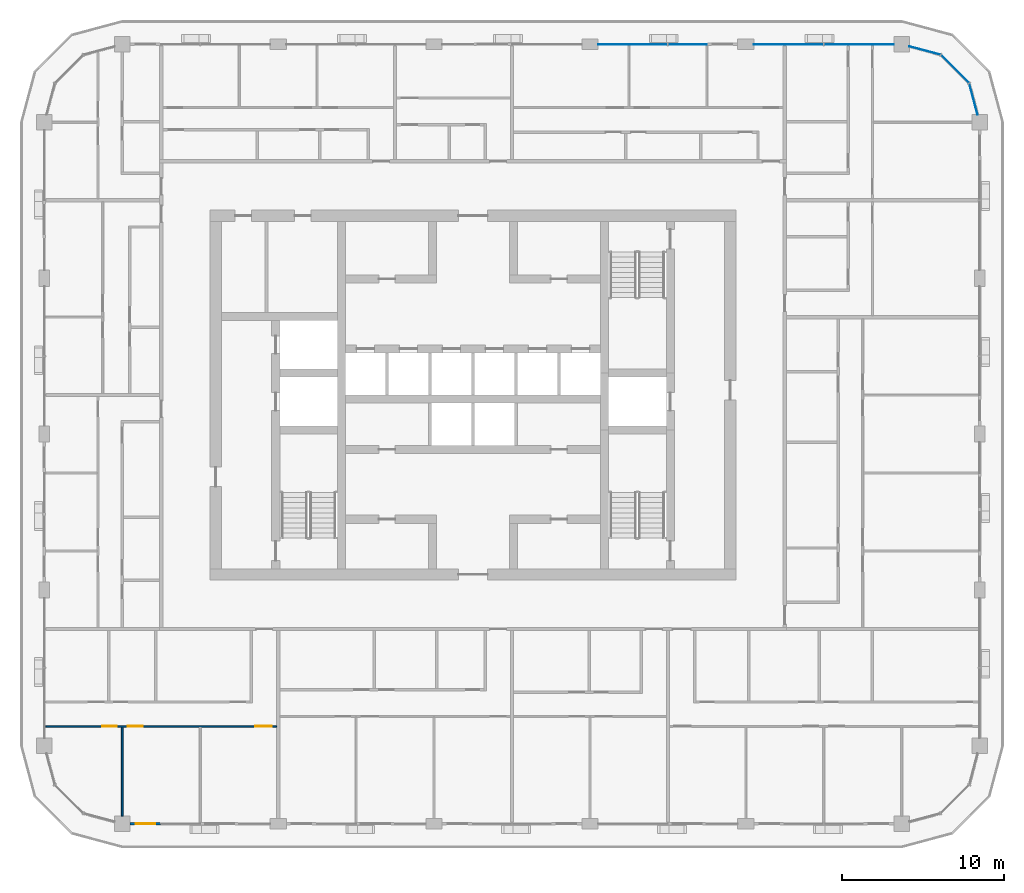
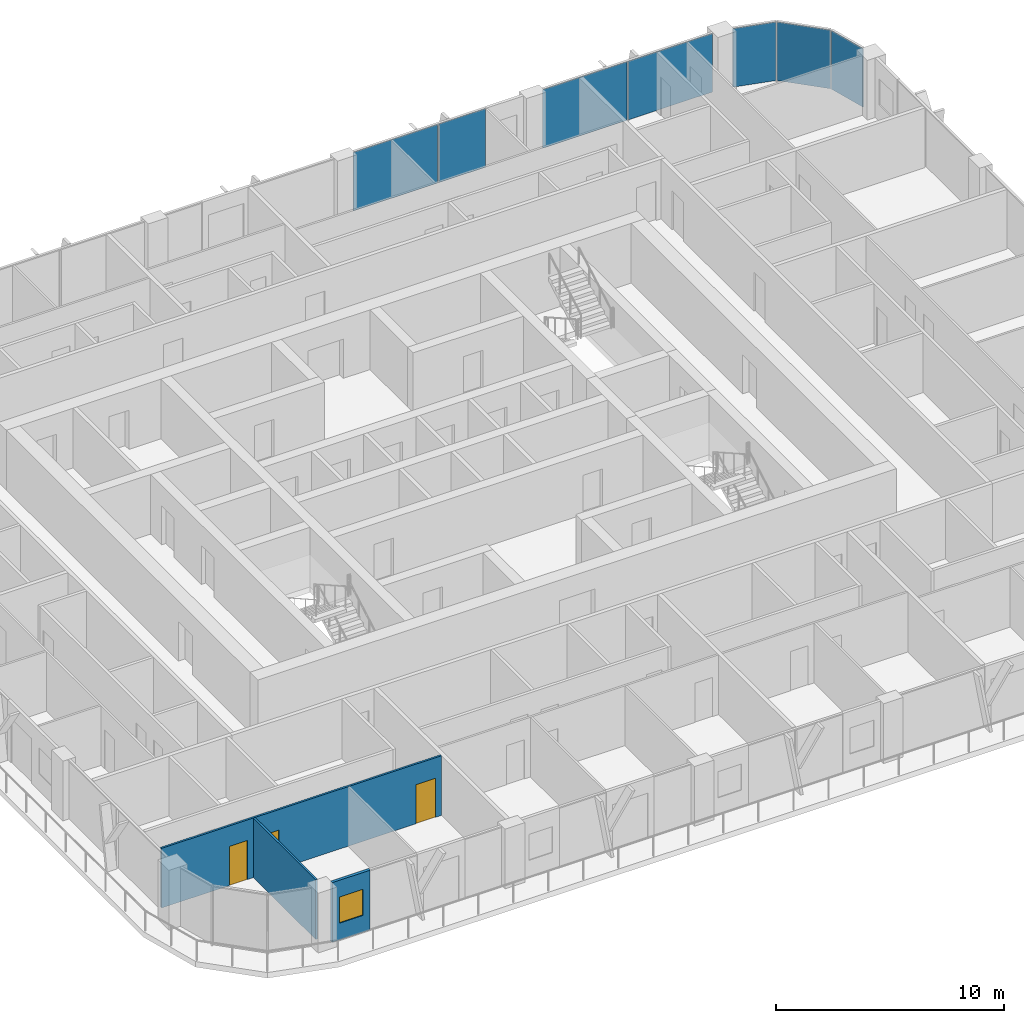
# One storey, part 8 of 21: 7 plates, 3 doors, 3 walls, 1 window, 4 openings, 3 elements without a shape of their own.
"""IFC4 building model written with IfcOpenShell, lengths in metres."""

import ifcopenshell
import ifcopenshell.guid

model = None  # the IFC model being written
_history = None  # IfcOwnerHistory: only IFC2X3 demands one
_inside = {}  # id of a spatial element -> (the spatial element, [elements in it])
_under = {}  # id of a project, library or spatial element -> (it, [spatial elements below it])
_declared = {}  # id of a project -> (the project, [libraries it declares])
_typed = {}  # id of a type object -> (the type object, [elements of that type])
_made_of = {}  # id of a material, layer set ... -> (it, [elements and type objects made of it])


def new_model(schema):
    """Start an empty IFC model of exactly this schema.

    Asked for "IFC4X3", IfcOpenShell would pick the latest addendum, in which some entities
    have other attributes; the version numbers below select the first issue.
    IFC2X3 requires an IfcOwnerHistory on every rooted entity: one is made here for all.
    """
    global model, _history
    if schema == "IFC4X3":
        model = ifcopenshell.file(schema_version=(4, 3, 0, 0))
    else:
        model = ifcopenshell.file(schema=schema)
    _inside.clear()
    _under.clear()
    _declared.clear()
    _typed.clear()
    _made_of.clear()
    _history = None
    if model.schema == "IFC2X3":
        org = make("IfcOrganization", Name="unknown")
        user = make(
            "IfcPersonAndOrganization",
            ThePerson=make("IfcPerson", FamilyName="unknown"),
            TheOrganization=org,
        )
        app = make(
            "IfcApplication",
            ApplicationDeveloper=org,
            Version="unknown",
            ApplicationFullName="unknown",
            ApplicationIdentifier="unknown",
        )
        _history = make(
            "IfcOwnerHistory",
            OwningUser=user,
            OwningApplication=app,
            ChangeAction="ADDED",
            CreationDate=0,
        )
    return model


def make(cls, **values):
    """One entity of the class cls with the attributes given. An attribute that is None is left unset."""
    return model.create_entity(
        cls, **{name: value for name, value in values.items() if value is not None}
    )


def rooted(cls, **values):
    """An entity with a GlobalId (a new one), such as an element, a storey or a relation."""
    return make(cls, GlobalId=ifcopenshell.guid.new(), OwnerHistory=_history, **values)


def si_unit(unit_type, name, prefix=None):
    """IfcSIUnit, for example si_unit("LENGTHUNIT", "METRE", prefix="MILLI")."""
    return make("IfcSIUnit", UnitType=unit_type, Prefix=prefix, Name=name)


def assignment(units):
    """IfcUnitAssignment: the units of a project."""
    return None if units is None else make("IfcUnitAssignment", Units=units)


def point(xyz):
    """IfcCartesianPoint."""
    return None if xyz is None else make("IfcCartesianPoint", Coordinates=xyz)


def direction(xyz):
    """IfcDirection."""
    return None if xyz is None else make("IfcDirection", DirectionRatios=xyz)


def frame(location, z_axis=None, x_axis=None):
    """IfcAxis2Placement3D, a coordinate frame: its origin and axes. An axis left out is left unset."""
    return make(
        "IfcAxis2Placement3D",
        Location=point(location),
        Axis=direction(z_axis),
        RefDirection=direction(x_axis),
    )


def frame_2d(location, x_axis=None):
    """IfcAxis2Placement2D, a coordinate frame in the plane: its origin and x axis."""
    return make(
        "IfcAxis2Placement2D", Location=point(location), RefDirection=direction(x_axis)
    )


def origin():
    """The frame at (0, 0, 0) with its axes left unset."""
    return frame((0.0, 0.0, 0.0))


def origin_2d():
    """The frame at (0, 0) in the plane with its x axis left unset."""
    return frame_2d((0.0, 0.0))


def place(relative_to, where):
    """IfcLocalPlacement: puts the frame where relative to a parent placement (None: the world)."""
    return make(
        "IfcLocalPlacement", PlacementRelTo=relative_to, RelativePlacement=where
    )


def context(
    kind, dimensions, precision=None, world=None, true_north=None, identifier=None
):
    """IfcGeometricRepresentationContext, for example the 3D "Model" context."""
    return make(
        "IfcGeometricRepresentationContext",
        ContextIdentifier=identifier,
        ContextType=kind,
        CoordinateSpaceDimension=dimensions,
        Precision=precision,
        WorldCoordinateSystem=world,
        TrueNorth=true_north,
    )


def subcontext(parent, identifier, kind, view, scale=None):
    """IfcGeometricRepresentationSubContext, for example "Body" below "Model"."""
    return make(
        "IfcGeometricRepresentationSubContext",
        ContextIdentifier=identifier,
        ContextType=kind,
        ParentContext=parent,
        TargetScale=scale,
        TargetView=view,
    )


def project(units=None, contexts=None):
    """IfcProject with its units and contexts."""
    return rooted(
        "IfcProject",
        Name="project",
        RepresentationContexts=contexts,
        UnitsInContext=assignment(units),
    )


def spatial(cls, under=None, at=None, **own):
    """A site, building, storey or space (cls), placed at a placement, below another one or the project."""
    s = rooted(cls, ObjectPlacement=at, **own)
    if under is not None:
        _under.setdefault(under.id(), (under, []))[1].append(s)
    return s


def profile(cls, at=None, kind="AREA", **sizes):
    """A parametric profile (cls). Its sizes go by their IFC names, for example OverallWidth=200.0."""
    return make(cls, ProfileType=kind, Position=at, **sizes)


def rectangle(**sizes):
    """IfcRectangleProfileDef."""
    return profile("IfcRectangleProfileDef", **sizes)


def extrude(swept, where, along, depth):
    """IfcExtrudedAreaSolid: the profile swept, set in the frame where, extruded along a direction by depth."""
    return make(
        "IfcExtrudedAreaSolid",
        SweptArea=swept,
        Position=where,
        ExtrudedDirection=direction(along),
        Depth=depth,
    )


def shape(context_of_items, identifier, shape_type, items):
    """IfcShapeRepresentation: the items that make up one representation, for example the "Body"."""
    return make(
        "IfcShapeRepresentation",
        ContextOfItems=context_of_items,
        RepresentationIdentifier=identifier,
        RepresentationType=shape_type,
        Items=items,
    )


def material(Name=None, Category=None):
    """IfcMaterial."""
    return make("IfcMaterial", Name=Name, Category=Category)


def layer(
    of_material, thickness, ventilated=None, Name=None, Category=None, Priority=None
):
    """IfcMaterialLayer: one layer of a wall or slab, of a material (None: an air gap)."""
    return make(
        "IfcMaterialLayer",
        Material=of_material,
        LayerThickness=thickness,
        IsVentilated=ventilated,
        Name=Name,
        Category=Category,
        Priority=Priority,
    )


def layer_set(layers, Name=None):
    """IfcMaterialLayerSet."""
    return make("IfcMaterialLayerSet", MaterialLayers=layers, LayerSetName=Name)


def made_of(thing, what):
    """Note that an element or type object is made of a material, layer set ...; save() writes the relation."""
    if what is not None:
        _made_of.setdefault(what.id(), (what, []))[1].append(thing)
    return thing


def type_object(cls, material=None, **own):
    """A type object (cls), such as IfcWallType, which elements share."""
    return made_of(rooted(cls, **own), material)


def element(
    cls,
    number,
    at=None,
    inside=None,
    cuts=None,
    type_object=None,
    material=None,
    context=None,
    identifier="Body",
    shape_type=None,
    held_by="IfcProductDefinitionShape",
    body=None,
    shapes=None,
    **own,
):
    """One element of the class cls, such as IfcWall. Its Tag is "e" and its number.

    at: its placement. inside: the storey or other place that contains it. cuts: it is an
    opening in that element (IfcRelVoidsElement). A single representation is given by context,
    identifier, shape_type and body (its items); several are given by shapes. held_by: the class
    of the entity that holds the representations. save() writes the other relations.
    """
    e = rooted(cls, Tag="e%d" % number, ObjectPlacement=at, **own)
    if body is not None:
        shapes = [shape(context, identifier, shape_type, body)]
    if shapes is not None:
        e.Representation = make(held_by, Representations=shapes)
    if inside is not None:
        _inside.setdefault(inside.id(), (inside, []))[1].append(e)
    if cuts is not None:
        rooted(
            "IfcRelVoidsElement", RelatingBuildingElement=cuts, RelatedOpeningElement=e
        )
    if type_object is not None:
        _typed.setdefault(type_object.id(), (type_object, []))[1].append(e)
    return made_of(e, material)


def fill(opening, filler):
    """IfcRelFillsElement: the door or window that sits in an opening."""
    return rooted(
        "IfcRelFillsElement",
        RelatingOpeningElement=opening,
        RelatedBuildingElement=filler,
    )


def aggregate(whole, parts):
    """IfcRelAggregates: a whole, such as a stair, and the parts it consists of."""
    return rooted("IfcRelAggregates", RelatingObject=whole, RelatedObjects=parts)


def save(model, path):
    """Write the relations noted so far, then the file.

    IfcRelAggregates (storeys below a building ...), IfcRelContainedInSpatialStructure (elements
    in a storey), IfcRelDefinesByType, IfcRelAssociatesMaterial and IfcRelDeclares: one each for
    every whole, place, type object, material and project.
    """
    for whole, parts in _under.values():
        aggregate(whole, parts)
    for where, things in _inside.values():
        rooted(
            "IfcRelContainedInSpatialStructure",
            RelatedElements=things,
            RelatingStructure=where,
        )
    for kind, things in _typed.values():
        rooted("IfcRelDefinesByType", RelatedObjects=things, RelatingType=kind)
    for what, things in _made_of.values():
        rooted("IfcRelAssociatesMaterial", RelatedObjects=things, RelatingMaterial=what)
    for by, libraries in _declared.values():
        rooted("IfcRelDeclares", RelatingContext=by, RelatedDefinitions=libraries)
    model.write(path)


model = new_model("IFC4")

# Units and contexts
model_context = context("Model", 3, precision=1e-05, world=origin(), true_north=direction((0.0, 1.0)))
body_context = subcontext(model_context, "Body", "Model", "MODEL_VIEW")
ifc_project = project(units=[si_unit("LENGTHUNIT", "METRE"), si_unit("AREAUNIT", "SQUARE_METRE"), si_unit("VOLUMEUNIT", "CUBIC_METRE"), si_unit("PLANEANGLEUNIT", "RADIAN"), si_unit("MASSUNIT", "GRAM", prefix="KILO")], contexts=[model_context])

# Site, building, storey
site_placement = place(None, origin())
site = spatial("IfcSite", under=ifc_project, at=site_placement, CompositionType="ELEMENT")
building_placement = place(site_placement, origin())
building = spatial("IfcBuilding", under=site, at=building_placement, Name="Madar Terraces", CompositionType="ELEMENT")
storey_placement = place(building_placement, frame((0.0, 0.0, 185.89990234375)))
storey = spatial("IfcBuildingStorey", under=building, at=storey_placement, Name="L48", CompositionType="ELEMENT", Elevation=185.89990234375)

# Curtain wall, plates
ifc_material_1 = material(Name="Glass, ceramic frit dark grey, with black aluminium frame", Category="aluminium")
ifc_layer_1 = layer(ifc_material_1, 0.199951171875)
ifc_layer_set_1 = layer_set([ifc_layer_1], Name="Facade curtain wall, fritted glass")
curtain_wall_type = type_object("IfcCurtainWallType", Name="Facade curtain wall, fritted glass", PredefinedType="NOTDEFINED", material=ifc_layer_set_1)
curtain_wall_1_placement = place(storey_placement, origin())
curtain_wall_1 = element("IfcCurtainWall", 1, at=curtain_wall_1_placement, inside=storey, type_object=curtain_wall_type, Name="Outer skin curtain wall north bay 1", PredefinedType="NOTDEFINED")
ifc_material_2 = material(Name="Glass, ceramic frit dark grey", Category="glass")
ifc_layer_2 = layer(ifc_material_2, 0.028076171875)
ifc_layer_set_2 = layer_set([ifc_layer_2], Name="Facade glass panel 28")
plate_type = type_object("IfcPlateType", Name="Facade glass panel 28", PredefinedType="CURTAIN_PANEL", material=ifc_layer_set_2)
plate_1_placement = place(storey_placement, frame((54.9775390625, 48.0, 0.0), z_axis=(0.0, 0.0, 1.0), x_axis=(-1.0, 0.0, 0.0)))
plate_1 = element("IfcPlate", 2, at=plate_1_placement, type_object=plate_type, Name="Panel 1", PredefinedType="CURTAIN_PANEL", context=body_context, shape_type="SweptSolid", body=[
    extrude(rectangle(XDim=4.294921875, YDim=0.028076171875, at=origin_2d()), origin(), (0.0, 0.0, 1.0), 3.139892578125),
])
plate_2_placement = place(storey_placement, frame((50.635009765625, 48.0, 0.0), z_axis=(0.0, 0.0, 1.0), x_axis=(-1.0, 0.0, 0.0)))
plate_2 = element("IfcPlate", 3, at=plate_2_placement, type_object=plate_type, Name="Panel 2", PredefinedType="CURTAIN_PANEL", context=body_context, shape_type="SweptSolid", body=[
    extrude(rectangle(XDim=4.27001953125, YDim=0.028076171875, at=origin_2d()), origin(), (0.0, 0.0, 1.0), 3.139892578125),
])
aggregate(curtain_wall_1, [plate_1, plate_2])

curtain_wall_2_placement = place(storey_placement, origin())
curtain_wall_2 = element("IfcCurtainWall", 4, at=curtain_wall_2_placement, inside=storey, type_object=curtain_wall_type, Name="Outer skin curtain wall north bay 2", PredefinedType="NOTDEFINED")
plate_3_placement = place(storey_placement, frame((44.4150390625, 48.0, 0.0), z_axis=(0.0, 0.0, 1.0), x_axis=(-1.0, 0.0, 0.0)))
plate_3 = element("IfcPlate", 5, at=plate_3_placement, type_object=plate_type, Name="Panel 1", PredefinedType="CURTAIN_PANEL", context=body_context, shape_type="SweptSolid", body=[
    extrude(rectangle(XDim=2.3701171875, YDim=0.028076171875, at=origin_2d()), origin(), (0.0, 0.0, 1.0), 3.139892578125),
])
plate_4_placement = place(storey_placement, frame((41.034912109375, 48.0, 0.0), z_axis=(0.0, 0.0, 1.0), x_axis=(-1.0, 0.0, 0.0)))
plate_4 = element("IfcPlate", 6, at=plate_4_placement, type_object=plate_type, Name="Panel 2", PredefinedType="CURTAIN_PANEL", context=body_context, shape_type="SweptSolid", body=[
    extrude(rectangle(XDim=4.27001953125, YDim=0.028076171875, at=origin_2d()), origin(), (0.0, 0.0, 1.0), 3.139892578125),
])
aggregate(curtain_wall_2, [plate_3, plate_4])

curtain_wall_3_placement = place(storey_placement, origin())
curtain_wall_3 = element("IfcCurtainWall", 7, at=curtain_wall_3_placement, inside=storey, type_object=curtain_wall_type, Name="Outer skin curtain wall north-east corner", PredefinedType="NOTDEFINED")
plate_5_placement = place(storey_placement, frame((62.018798828125, 44.623046875, 0.0), z_axis=(0.0, 0.0, 1.0), x_axis=(-0.258819021888, 0.965925832509, 0.0)))
plate_5 = element("IfcPlate", 8, at=plate_5_placement, type_object=plate_type, Name="Panel 1", PredefinedType="CURTAIN_PANEL", context=body_context, shape_type="SweptSolid", body=[
    extrude(rectangle(XDim=1.962890625, YDim=0.028076171875, at=origin_2d()), origin(), (0.0, 0.0, 1.0), 3.139892578125),
])
plate_6_placement = place(storey_placement, frame((60.87841796875, 46.478515625, 0.0), z_axis=(0.0, 0.0, 1.0), x_axis=(-0.707106781187, 0.707106781187, 0.0)))
plate_6 = element("IfcPlate", 9, at=plate_6_placement, type_object=plate_type, Name="Panel 2", PredefinedType="CURTAIN_PANEL", context=body_context, shape_type="SweptSolid", body=[
    extrude(rectangle(XDim=2.424560546875, YDim=0.028076171875, at=origin_2d()), origin(), (0.0, 0.0, 1.0), 3.139892578125),
])
plate_7_placement = place(storey_placement, frame((59.02294921875, 47.61865234375, 0.0), z_axis=(0.0, 0.0, 1.0), x_axis=(-0.965925832509, 0.258819021888, 0.0)))
plate_7 = element("IfcPlate", 10, at=plate_7_placement, type_object=plate_type, Name="Panel 3", PredefinedType="CURTAIN_PANEL", context=body_context, shape_type="SweptSolid", body=[
    extrude(rectangle(XDim=1.962890625, YDim=0.028076171875, at=origin_2d()), origin(), (0.0, 0.0, 1.0), 3.139892578125),
])
aggregate(curtain_wall_3, [plate_5, plate_6, plate_7])

# Wall, opening, window
ifc_material_3 = material(Name="Aluminium composite panel, black, over insulated backing", Category="aluminium")
ifc_layer_3 = layer(ifc_material_3, 0.14990234375)
ifc_layer_set_3 = layer_set([ifc_layer_3], Name="Facade bay panel 150")
wall_type_1 = type_object("IfcWallType", Name="Facade bay panel 150", PredefinedType="SOLIDWALL", material=ifc_layer_set_3)
wall_1_placement = place(storey_placement, frame((10.074951171875, 0.0, 0.0), z_axis=(0.0, 0.0, 1.0), x_axis=(1.0, 0.0, 0.0)))
wall_1 = element("IfcWall", 11, at=wall_1_placement, inside=storey, type_object=wall_type_1, Name="Facade bay panel", PredefinedType="SOLIDWALL", context=body_context, shape_type="SweptSolid", body=[
    extrude(rectangle(XDim=1.925048828125, YDim=0.14990234375, at=frame_2d((0.96240234375, 0.0))), origin(), (0.0, 0.0, 1.0), 3.2001953125),
])
opening_1_placement = place(wall_1_placement, frame((0.362548828125, 0.0, 0.89990234375)))
opening_1 = element("IfcOpeningElement", 12, at=opening_1_placement, cuts=wall_1, Name="Opening W1", PredefinedType="OPENING", context=body_context, shape_type="SweptSolid", body=[
    extrude(rectangle(XDim=1.199951171875, YDim=1.39990234375, at=frame_2d((0.60009765625, 0.699951171875))), frame((0.0, 0.0849609375, 0.0), z_axis=(0.0, -1.0, 0.0), x_axis=(1.0, 0.0, 0.0)), (0.0, 0.0, 1.0), 0.169921875),
])
ifc_material_4 = material(Name="Glass, clear, with black aluminium frame", Category="aluminium")
window_type = type_object("IfcWindowType", Name="Vent window 1200 x 1400", PartitioningType="SINGLE_PANEL", PredefinedType="WINDOW", material=ifc_material_4)
window_placement = place(opening_1_placement, origin())
window = element("IfcWindow", 13, at=window_placement, inside=storey, type_object=window_type, Name="Operable vent window", OverallHeight=1.39990234375, OverallWidth=1.199951171875, PartitioningType="SINGLE_PANEL", PredefinedType="WINDOW", context=body_context, shape_type="SweptSolid", body=[
    extrude(rectangle(XDim=1.199951171875, YDim=1.39990234375, at=frame_2d((0.60009765625, 0.699951171875))), frame((0.0, 0.030029296875, 0.0), z_axis=(0.0, -1.0, 0.0), x_axis=(1.0, 0.0, 0.0)), (0.0, 0.0, 1.0), 0.06005859375),
])
fill(opening_1, window)

# Wall
ifc_material_5 = material(Name="Gypsum board on steel studs", Category="steel")
ifc_layer_4 = layer(ifc_material_5, 0.10009765625)
ifc_layer_set_4 = layer_set([ifc_layer_4], Name="Flat partition 100")
wall_type_2 = type_object("IfcWallType", Name="Flat partition 100", PredefinedType="PARTITIONING", material=ifc_layer_set_4)
wall_2_placement = place(storey_placement, frame((9.60009765625, 5.949951171875, 0.0), z_axis=(0.0, 0.0, 1.0), x_axis=(0.0, -1.0, 0.0)))
element("IfcWall", 14, at=wall_2_placement, inside=storey, type_object=wall_type_2, Name="Flat partition 100", PredefinedType="PARTITIONING", context=body_context, shape_type="SweptSolid", body=[
    extrude(rectangle(XDim=5.474853515625, YDim=0.10009765625, at=frame_2d((2.7373046875, 0.0))), origin(), (0.0, 0.0, 1.0), 3.2001953125),
])

# Wall, openings, doors
wall_3_placement = place(storey_placement, frame((19.10009765625, 6.0, 0.0), z_axis=(0.0, 0.0, 1.0), x_axis=(-1.0, 0.0, 0.0)))
wall_3 = element("IfcWall", 15, at=wall_3_placement, inside=storey, type_object=wall_type_2, Name="Flat partition 100", PredefinedType="PARTITIONING", context=body_context, shape_type="SweptSolid", body=[
    extrude(rectangle(XDim=14.2001953125, YDim=0.10009765625, at=frame_2d((7.10009765625, 0.0))), origin(), (0.0, 0.0, 1.0), 3.2001953125),
])
opening_2_placement = place(wall_3_placement, frame((0.300048828125, 0.0, 0.0)))
opening_2 = element("IfcOpeningElement", 16, at=opening_2_placement, cuts=wall_3, Name="Opening D3", PredefinedType="OPENING", context=body_context, shape_type="SweptSolid", body=[
    extrude(rectangle(XDim=1.0, YDim=2.10009765625, at=frame_2d((0.5, 1.050048828125))), frame((0.0, 0.06005859375, 0.0), z_axis=(0.0, -1.0, 0.0), x_axis=(1.0, 0.0, 0.0)), (0.0, 0.0, 1.0), 0.1201171875),
])
opening_3_placement = place(wall_3_placement, frame((8.25, 0.0, 0.0)))
opening_3 = element("IfcOpeningElement", 17, at=opening_3_placement, cuts=wall_3, Name="Opening D2", PredefinedType="OPENING", context=body_context, shape_type="SweptSolid", body=[
    extrude(rectangle(XDim=0.89990234375, YDim=2.10009765625, at=frame_2d((0.449951171875, 1.050048828125))), frame((0.0, 0.06005859375, 0.0), z_axis=(0.0, -1.0, 0.0), x_axis=(1.0, 0.0, 0.0)), (0.0, 0.0, 1.0), 0.1201171875),
])
opening_4_placement = place(wall_3_placement, frame((9.85009765625, 0.0, 0.0)))
opening_4 = element("IfcOpeningElement", 18, at=opening_4_placement, cuts=wall_3, Name="Opening D2", PredefinedType="OPENING", context=body_context, shape_type="SweptSolid", body=[
    extrude(rectangle(XDim=0.89990234375, YDim=2.10009765625, at=frame_2d((0.449951171875, 1.050048828125))), frame((0.0, 0.06005859375, 0.0), z_axis=(0.0, -1.0, 0.0), x_axis=(1.0, 0.0, 0.0)), (0.0, 0.0, 1.0), 0.1201171875),
])
ifc_material_6 = material(Name="Timber door leaf", Category="wood")
door_type_1 = type_object("IfcDoorType", Name="Flat living room door 1000", OperationType="NOTDEFINED", PredefinedType="DOOR", material=ifc_material_6)
door_1_placement = place(opening_2_placement, origin())
door_1 = element("IfcDoor", 19, at=door_1_placement, inside=storey, type_object=door_type_1, Name="Flat living room door 1000", OperationType="SINGLE_SWING_LEFT", OverallHeight=2.10009765625, OverallWidth=1.0, PredefinedType="DOOR", context=body_context, shape_type="SweptSolid", body=[
    extrude(rectangle(XDim=1.0, YDim=2.10009765625, at=frame_2d((0.5, 1.050048828125))), frame((0.0, 0.02490234375, 0.0), z_axis=(0.0, -1.0, 0.0), x_axis=(1.0, 0.0, 0.0)), (0.0, 0.0, 1.0), 0.050048828125),
])
fill(opening_2, door_1)
ifc_material_7 = material(Name="Timber door leaf", Category="wood")
door_type_2 = type_object("IfcDoorType", Name="Flat room door 900", OperationType="NOTDEFINED", PredefinedType="DOOR", material=ifc_material_7)
door_2_placement = place(opening_3_placement, origin())
door_2 = element("IfcDoor", 20, at=door_2_placement, inside=storey, type_object=door_type_2, Name="Flat room door 900", OperationType="SINGLE_SWING_RIGHT", OverallHeight=2.10009765625, OverallWidth=0.89990234375, PredefinedType="DOOR", context=body_context, shape_type="SweptSolid", body=[
    extrude(rectangle(XDim=0.89990234375, YDim=2.10009765625, at=frame_2d((0.449951171875, 1.050048828125))), frame((0.0, 0.02490234375, 0.0), z_axis=(0.0, -1.0, 0.0), x_axis=(1.0, 0.0, 0.0)), (0.0, 0.0, 1.0), 0.050048828125),
])
fill(opening_3, door_2)
door_3_placement = place(opening_4_placement, origin())
door_3 = element("IfcDoor", 21, at=door_3_placement, inside=storey, type_object=door_type_2, Name="Flat room door 900", OperationType="SINGLE_SWING_LEFT", OverallHeight=2.10009765625, OverallWidth=0.89990234375, PredefinedType="DOOR", context=body_context, shape_type="SweptSolid", body=[
    extrude(rectangle(XDim=0.89990234375, YDim=2.10009765625, at=frame_2d((0.449951171875, 1.050048828125))), frame((0.0, 0.02490234375, 0.0), z_axis=(0.0, -1.0, 0.0), x_axis=(1.0, 0.0, 0.0)), (0.0, 0.0, 1.0), 0.050048828125),
])
fill(opening_4, door_3)

save(model, "model.ifc")
